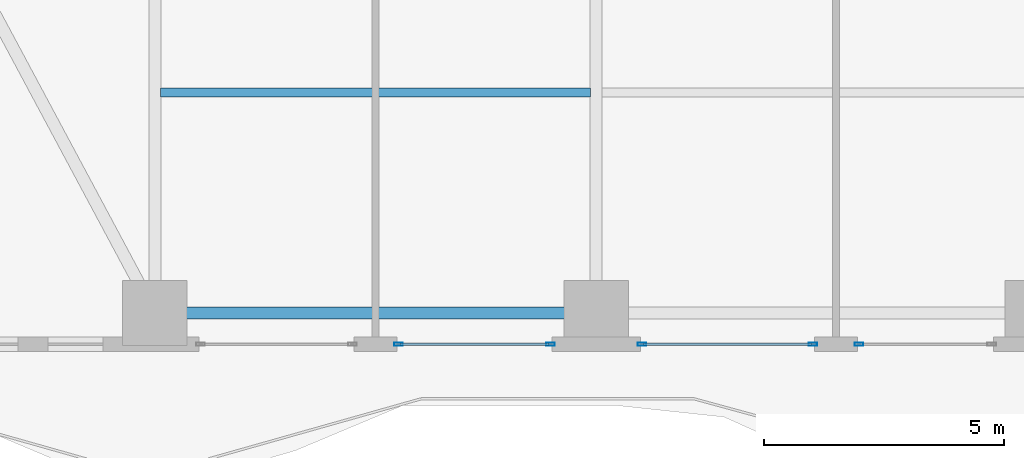
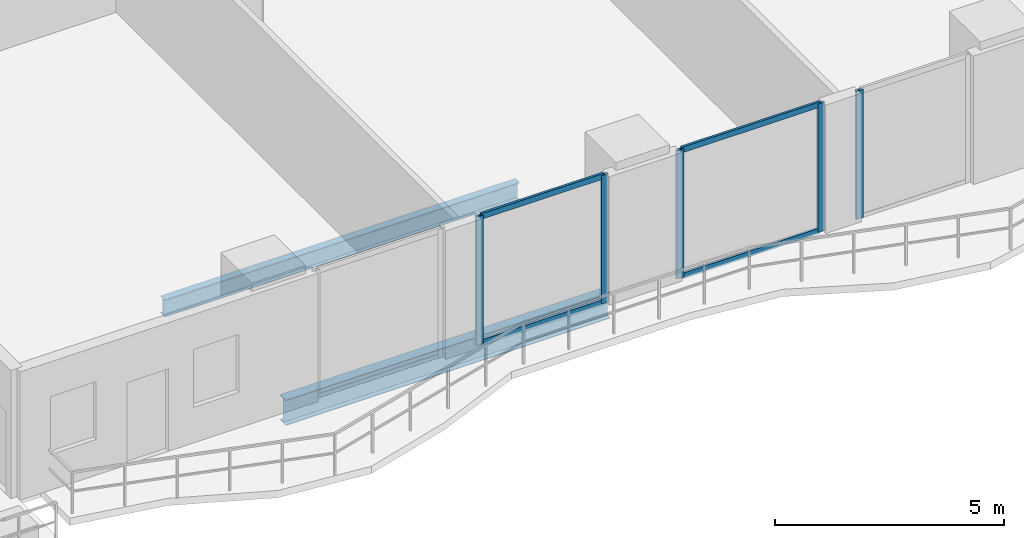
# One storey, part 4 of 27: 9 members, 2 beams, 3 elements without a shape of their own.
"""IFC4 building model written with IfcOpenShell, lengths in metres."""

import ifcopenshell
import ifcopenshell.guid

model = None  # the IFC model being written
_history = None  # IfcOwnerHistory: only IFC2X3 demands one
_inside = {}  # id of a spatial element -> (the spatial element, [elements in it])
_under = {}  # id of a project, library or spatial element -> (it, [spatial elements below it])
_declared = {}  # id of a project -> (the project, [libraries it declares])
_typed = {}  # id of a type object -> (the type object, [elements of that type])
_made_of = {}  # id of a material, layer set ... -> (it, [elements and type objects made of it])


def new_model(schema):
    """Start an empty IFC model of exactly this schema.

    Asked for "IFC4X3", IfcOpenShell would pick the latest addendum, in which some entities
    have other attributes; the version numbers below select the first issue.
    IFC2X3 requires an IfcOwnerHistory on every rooted entity: one is made here for all.
    """
    global model, _history
    if schema == "IFC4X3":
        model = ifcopenshell.file(schema_version=(4, 3, 0, 0))
    else:
        model = ifcopenshell.file(schema=schema)
    _inside.clear()
    _under.clear()
    _declared.clear()
    _typed.clear()
    _made_of.clear()
    _history = None
    if model.schema == "IFC2X3":
        org = make("IfcOrganization", Name="unknown")
        user = make(
            "IfcPersonAndOrganization",
            ThePerson=make("IfcPerson", FamilyName="unknown"),
            TheOrganization=org,
        )
        app = make(
            "IfcApplication",
            ApplicationDeveloper=org,
            Version="unknown",
            ApplicationFullName="unknown",
            ApplicationIdentifier="unknown",
        )
        _history = make(
            "IfcOwnerHistory",
            OwningUser=user,
            OwningApplication=app,
            ChangeAction="ADDED",
            CreationDate=0,
        )
    return model


def make(cls, **values):
    """One entity of the class cls with the attributes given. An attribute that is None is left unset."""
    return model.create_entity(
        cls, **{name: value for name, value in values.items() if value is not None}
    )


def rooted(cls, **values):
    """An entity with a GlobalId (a new one), such as an element, a storey or a relation."""
    return make(cls, GlobalId=ifcopenshell.guid.new(), OwnerHistory=_history, **values)


def si_unit(unit_type, name, prefix=None):
    """IfcSIUnit, for example si_unit("LENGTHUNIT", "METRE", prefix="MILLI")."""
    return make("IfcSIUnit", UnitType=unit_type, Prefix=prefix, Name=name)


def assignment(units):
    """IfcUnitAssignment: the units of a project."""
    return None if units is None else make("IfcUnitAssignment", Units=units)


def point(xyz):
    """IfcCartesianPoint."""
    return None if xyz is None else make("IfcCartesianPoint", Coordinates=xyz)


def direction(xyz):
    """IfcDirection."""
    return None if xyz is None else make("IfcDirection", DirectionRatios=xyz)


def frame(location, z_axis=None, x_axis=None):
    """IfcAxis2Placement3D, a coordinate frame: its origin and axes. An axis left out is left unset."""
    return make(
        "IfcAxis2Placement3D",
        Location=point(location),
        Axis=direction(z_axis),
        RefDirection=direction(x_axis),
    )


def frame_2d(location, x_axis=None):
    """IfcAxis2Placement2D, a coordinate frame in the plane: its origin and x axis."""
    return make(
        "IfcAxis2Placement2D", Location=point(location), RefDirection=direction(x_axis)
    )


def origin():
    """The frame at (0, 0, 0) with its axes left unset."""
    return frame((0.0, 0.0, 0.0))


def origin_2d():
    """The frame at (0, 0) in the plane with its x axis left unset."""
    return frame_2d((0.0, 0.0))


def place(relative_to, where):
    """IfcLocalPlacement: puts the frame where relative to a parent placement (None: the world)."""
    return make(
        "IfcLocalPlacement", PlacementRelTo=relative_to, RelativePlacement=where
    )


def context(
    kind, dimensions, precision=None, world=None, true_north=None, identifier=None
):
    """IfcGeometricRepresentationContext, for example the 3D "Model" context."""
    return make(
        "IfcGeometricRepresentationContext",
        ContextIdentifier=identifier,
        ContextType=kind,
        CoordinateSpaceDimension=dimensions,
        Precision=precision,
        WorldCoordinateSystem=world,
        TrueNorth=true_north,
    )


def subcontext(parent, identifier, kind, view, scale=None):
    """IfcGeometricRepresentationSubContext, for example "Body" below "Model"."""
    return make(
        "IfcGeometricRepresentationSubContext",
        ContextIdentifier=identifier,
        ContextType=kind,
        ParentContext=parent,
        TargetScale=scale,
        TargetView=view,
    )


def project(units=None, contexts=None):
    """IfcProject with its units and contexts."""
    return rooted(
        "IfcProject",
        Name="project",
        RepresentationContexts=contexts,
        UnitsInContext=assignment(units),
    )


def spatial(cls, under=None, at=None, **own):
    """A site, building, storey or space (cls), placed at a placement, below another one or the project."""
    s = rooted(cls, ObjectPlacement=at, **own)
    if under is not None:
        _under.setdefault(under.id(), (under, []))[1].append(s)
    return s


def profile(cls, at=None, kind="AREA", **sizes):
    """A parametric profile (cls). Its sizes go by their IFC names, for example OverallWidth=200.0."""
    return make(cls, ProfileType=kind, Position=at, **sizes)


def hollow_rectangle(**sizes):
    """IfcRectangleHollowProfileDef."""
    return profile("IfcRectangleHollowProfileDef", **sizes)


def i_section(**sizes):
    """IfcIShapeProfileDef."""
    return profile("IfcIShapeProfileDef", **sizes)


def extrude(swept, where, along, depth):
    """IfcExtrudedAreaSolid: the profile swept, set in the frame where, extruded along a direction by depth."""
    return make(
        "IfcExtrudedAreaSolid",
        SweptArea=swept,
        Position=where,
        ExtrudedDirection=direction(along),
        Depth=depth,
    )


def shape(context_of_items, identifier, shape_type, items):
    """IfcShapeRepresentation: the items that make up one representation, for example the "Body"."""
    return make(
        "IfcShapeRepresentation",
        ContextOfItems=context_of_items,
        RepresentationIdentifier=identifier,
        RepresentationType=shape_type,
        Items=items,
    )


def material(Name=None, Category=None):
    """IfcMaterial."""
    return make("IfcMaterial", Name=Name, Category=Category)


def layer(
    of_material, thickness, ventilated=None, Name=None, Category=None, Priority=None
):
    """IfcMaterialLayer: one layer of a wall or slab, of a material (None: an air gap)."""
    return make(
        "IfcMaterialLayer",
        Material=of_material,
        LayerThickness=thickness,
        IsVentilated=ventilated,
        Name=Name,
        Category=Category,
        Priority=Priority,
    )


def layer_set(layers, Name=None):
    """IfcMaterialLayerSet."""
    return make("IfcMaterialLayerSet", MaterialLayers=layers, LayerSetName=Name)


def material_profile(
    of_material, cross_section, Name=None, Category=None, Priority=None
):
    """IfcMaterialProfile: a cross section and its material."""
    return make(
        "IfcMaterialProfile",
        Name=Name,
        Material=of_material,
        Profile=cross_section,
        Priority=Priority,
        Category=Category,
    )


def profile_set(profiles, Name=None, composite=None):
    """IfcMaterialProfileSet."""
    return make(
        "IfcMaterialProfileSet",
        Name=Name,
        MaterialProfiles=profiles,
        CompositeProfile=composite,
    )


def made_of(thing, what):
    """Note that an element or type object is made of a material, layer set ...; save() writes the relation."""
    if what is not None:
        _made_of.setdefault(what.id(), (what, []))[1].append(thing)
    return thing


def type_object(cls, material=None, **own):
    """A type object (cls), such as IfcWallType, which elements share."""
    return made_of(rooted(cls, **own), material)


def element(
    cls,
    number,
    at=None,
    inside=None,
    cuts=None,
    type_object=None,
    material=None,
    context=None,
    identifier="Body",
    shape_type=None,
    held_by="IfcProductDefinitionShape",
    body=None,
    shapes=None,
    **own,
):
    """One element of the class cls, such as IfcWall. Its Tag is "e" and its number.

    at: its placement. inside: the storey or other place that contains it. cuts: it is an
    opening in that element (IfcRelVoidsElement). A single representation is given by context,
    identifier, shape_type and body (its items); several are given by shapes. held_by: the class
    of the entity that holds the representations. save() writes the other relations.
    """
    e = rooted(cls, Tag="e%d" % number, ObjectPlacement=at, **own)
    if body is not None:
        shapes = [shape(context, identifier, shape_type, body)]
    if shapes is not None:
        e.Representation = make(held_by, Representations=shapes)
    if inside is not None:
        _inside.setdefault(inside.id(), (inside, []))[1].append(e)
    if cuts is not None:
        rooted(
            "IfcRelVoidsElement", RelatingBuildingElement=cuts, RelatedOpeningElement=e
        )
    if type_object is not None:
        _typed.setdefault(type_object.id(), (type_object, []))[1].append(e)
    return made_of(e, material)


def aggregate(whole, parts):
    """IfcRelAggregates: a whole, such as a stair, and the parts it consists of."""
    return rooted("IfcRelAggregates", RelatingObject=whole, RelatedObjects=parts)


def save(model, path):
    """Write the relations noted so far, then the file.

    IfcRelAggregates (storeys below a building ...), IfcRelContainedInSpatialStructure (elements
    in a storey), IfcRelDefinesByType, IfcRelAssociatesMaterial and IfcRelDeclares: one each for
    every whole, place, type object, material and project.
    """
    for whole, parts in _under.values():
        aggregate(whole, parts)
    for where, things in _inside.values():
        rooted(
            "IfcRelContainedInSpatialStructure",
            RelatedElements=things,
            RelatingStructure=where,
        )
    for kind, things in _typed.values():
        rooted("IfcRelDefinesByType", RelatedObjects=things, RelatingType=kind)
    for what, things in _made_of.values():
        rooted("IfcRelAssociatesMaterial", RelatedObjects=things, RelatingMaterial=what)
    for by, libraries in _declared.values():
        rooted("IfcRelDeclares", RelatingContext=by, RelatedDefinitions=libraries)
    model.write(path)


model = new_model("IFC4")

# Units and contexts
model_context = context("Model", 3, precision=1e-05, world=origin(), true_north=direction((0.0, 1.0)))
body_context = subcontext(model_context, "Body", "Model", "MODEL_VIEW")
ifc_project = project(units=[si_unit("LENGTHUNIT", "METRE"), si_unit("AREAUNIT", "SQUARE_METRE"), si_unit("VOLUMEUNIT", "CUBIC_METRE"), si_unit("PLANEANGLEUNIT", "RADIAN"), si_unit("MASSUNIT", "GRAM", prefix="KILO")], contexts=[model_context])

# Site, building, storey
site_placement = place(None, origin())
site = spatial("IfcSite", under=ifc_project, at=site_placement, CompositionType="ELEMENT")
building_placement = place(site_placement, origin())
building = spatial("IfcBuilding", under=site, at=building_placement, Name="Zuhayl Quay Hotel", CompositionType="ELEMENT")
storey_placement = place(building_placement, frame((0.0, 0.0, 124.85009765625)))
storey = spatial("IfcBuildingStorey", under=building, at=storey_placement, Name="L31", CompositionType="ELEMENT", Elevation=124.85009765625)

# Beams
ifc_material_1 = material(Name="Steel ASTM A992 Grade 50", Category="steel")
ifc_material_profile_1 = material_profile(ifc_material_1, i_section(OverallWidth=0.25390625, OverallDepth=0.68310546875, WebThickness=0.012451171875, FlangeThickness=0.018798828125, at=origin_2d()), Name="W27X94")
ifc_profile_set_1 = profile_set([ifc_material_profile_1], Name="Steel ASTM A992 Grade 50")
beam_type_1 = type_object("IfcBeamType", Name="BM_B2_W27X94", PredefinedType="BEAM", material=ifc_profile_set_1)
beam_1_placement = place(storey_placement, frame((-13.300048828125, -14.75, -0.5615234375), z_axis=(1.0, 0.0, 0.0), x_axis=(0.0, 1.0, 0.0)))
element("IfcBeam", 1, at=beam_1_placement, inside=storey, type_object=beam_type_1, Name="L31 Floor Beam RG_L31_01", PredefinedType="BEAM", context=body_context, shape_type="SweptSolid", body=[
    extrude(i_section(OverallWidth=0.25390625, OverallDepth=0.68310546875, WebThickness=0.012451171875, FlangeThickness=0.018798828125, at=origin_2d()), origin(), (0.0, 0.0, 1.0), 8.199951171875),
])
ifc_material_profile_2 = material_profile(ifc_material_1, i_section(OverallWidth=0.18994140625, OverallDepth=0.45703125, WebThickness=0.009033203125, FlangeThickness=0.014404296875, at=origin_2d()), Name="W18X50")
ifc_profile_set_2 = profile_set([ifc_material_profile_2], Name="Steel ASTM A992 Grade 50")
beam_type_2 = type_object("IfcBeamType", Name="BM_J2_W18X50", PredefinedType="JOIST", material=ifc_profile_set_2)
beam_2_placement = place(storey_placement, frame((-13.680908203125, -10.14990234375, -0.448486328125), z_axis=(1.0, 0.0, 0.0), x_axis=(0.0, 1.0, 0.0)))
element("IfcBeam", 2, at=beam_2_placement, inside=storey, type_object=beam_type_2, Name="L31 Floor Beam FJ_L31_5_1", PredefinedType="JOIST", context=body_context, shape_type="SweptSolid", body=[
    extrude(i_section(OverallWidth=0.18994140625, OverallDepth=0.45703125, WebThickness=0.009033203125, FlangeThickness=0.014404296875, at=origin_2d()), origin(), (0.0, 0.0, 1.0), 8.9619140625),
])

# Curtain wall, member
ifc_material_2 = material(Name="Anodised Aluminium 6063-T6", Category="aluminium")
ifc_layer = layer(ifc_material_2, 0.179931640625, Name="Anodised Aluminium 6063-T6", Category="aluminium")
ifc_layer_set = layer_set([ifc_layer], Name="Anodised Aluminium 6063-T6")
curtain_wall_type = type_object("IfcCurtainWallType", Name="CW_SYS_Z2", PredefinedType="USERDEFINED", material=ifc_layer_set)
curtain_wall_1_placement = place(storey_placement, origin())
curtain_wall_1 = element("IfcCurtainWall", 3, at=curtain_wall_1_placement, inside=storey, type_object=curtain_wall_type, Name="L31 Curtain Wall ENV_L31_S_CW4", ObjectType="UNITISED CURTAIN WALL", PredefinedType="USERDEFINED")
ifc_material_3 = material(Name="Black-anodised aluminium 6063-T6", Category="aluminium")
ifc_material_profile_3 = material_profile(ifc_material_3, hollow_rectangle(XDim=0.06494140625, YDim=0.179931640625, WallThickness=0.00341796875, at=origin_2d()), Name="ALU180X65")
ifc_profile_set_3 = profile_set([ifc_material_profile_3], Name="Black-anodised aluminium 6063-T6")
member_type_1 = type_object("IfcMemberType", Name="MB_CW_MUL_180", PredefinedType="MULLION", material=ifc_profile_set_3)
member_1_placement = place(storey_placement, frame((0.882568359375, -15.39990234375, 0.0), z_axis=(0.0, 0.0, 1.0), x_axis=(0.0, -1.0, 0.0)))
member_1 = element("IfcMember", 4, at=member_1_placement, type_object=member_type_1, Name="CW-Z2 mullion 2", PredefinedType="MULLION", context=body_context, shape_type="SweptSolid", body=[
    extrude(hollow_rectangle(XDim=0.06494140625, YDim=0.179931640625, WallThickness=0.00341796875, at=origin_2d()), origin(), (0.0, 0.0, 1.0), 3.429931640625),
])
aggregate(curtain_wall_1, [member_1])

# Curtain wall, members
curtain_wall_2_placement = place(storey_placement, origin())
curtain_wall_2 = element("IfcCurtainWall", 5, at=curtain_wall_2_placement, inside=storey, type_object=curtain_wall_type, Name="L31 Curtain Wall ENV_L31_S_CW5", ObjectType="UNITISED CURTAIN WALL", PredefinedType="USERDEFINED")
member_2_placement = place(storey_placement, frame((-0.08251953125, -15.39990234375, 0.0), z_axis=(0.0, 0.0, 1.0), x_axis=(0.0, -1.0, 0.0)))
member_2 = element("IfcMember", 6, at=member_2_placement, type_object=member_type_1, Name="CW-Z2 mullion 1", PredefinedType="MULLION", context=body_context, shape_type="SweptSolid", body=[
    extrude(hollow_rectangle(XDim=0.06494140625, YDim=0.179931640625, WallThickness=0.00341796875, at=origin_2d()), origin(), (0.0, 0.0, 1.0), 3.429931640625),
])
member_3_placement = place(storey_placement, frame((-3.6474609375, -15.39990234375, 0.0), z_axis=(0.0, 0.0, 1.0), x_axis=(0.0, -1.0, 0.0)))
member_3 = element("IfcMember", 7, at=member_3_placement, type_object=member_type_1, Name="CW-Z2 mullion 2", PredefinedType="MULLION", context=body_context, shape_type="SweptSolid", body=[
    extrude(hollow_rectangle(XDim=0.06494140625, YDim=0.179931640625, WallThickness=0.00341796875, at=origin_2d()), origin(), (0.0, 0.0, 1.0), 3.429931640625),
])

curtain_wall_3_placement = place(storey_placement, origin())
curtain_wall_3 = element("IfcCurtainWall", 8, at=curtain_wall_3_placement, inside=storey, type_object=curtain_wall_type, Name="L31 Curtain Wall ENV_L31_S_CW6", ObjectType="UNITISED CURTAIN WALL", PredefinedType="USERDEFINED")
member_4_placement = place(storey_placement, frame((-5.552490234375, -15.39990234375, 0.0), z_axis=(0.0, 0.0, 1.0), x_axis=(0.0, -1.0, 0.0)))
member_4 = element("IfcMember", 9, at=member_4_placement, type_object=member_type_1, Name="CW-Z2 mullion 1", PredefinedType="MULLION", context=body_context, shape_type="SweptSolid", body=[
    extrude(hollow_rectangle(XDim=0.06494140625, YDim=0.179931640625, WallThickness=0.00341796875, at=origin_2d()), origin(), (0.0, 0.0, 1.0), 3.429931640625),
])
member_5_placement = place(storey_placement, frame((-8.717529296875, -15.39990234375, 0.0), z_axis=(0.0, 0.0, 1.0), x_axis=(0.0, -1.0, 0.0)))
member_5 = element("IfcMember", 10, at=member_5_placement, type_object=member_type_1, Name="CW-Z2 mullion 2", PredefinedType="MULLION", context=body_context, shape_type="SweptSolid", body=[
    extrude(hollow_rectangle(XDim=0.06494140625, YDim=0.179931640625, WallThickness=0.00341796875, at=origin_2d()), origin(), (0.0, 0.0, 1.0), 3.429931640625),
])

# Member
ifc_material_profile_4 = material_profile(ifc_material_3, hollow_rectangle(XDim=0.06005859375, YDim=0.14990234375, WallThickness=0.00341796875, at=origin_2d()), Name="ALU150X60")
ifc_profile_set_4 = profile_set([ifc_material_profile_4], Name="Black-anodised aluminium 6063-T6")
member_type_2 = type_object("IfcMemberType", Name="MB_CW_TRN_150", PredefinedType="USERDEFINED", material=ifc_profile_set_4)
member_6_placement = place(storey_placement, frame((-0.114990234375, -15.39990234375, 0.02978515625), z_axis=(-1.0, 0.0, 0.0), x_axis=(0.0, -1.0, 0.0)))
member_6 = element("IfcMember", 11, at=member_6_placement, type_object=member_type_2, Name="CW-Z2 transom 1.1", ObjectType="TRANSOM", PredefinedType="USERDEFINED", context=body_context, shape_type="SweptSolid", body=[
    extrude(hollow_rectangle(XDim=0.06005859375, YDim=0.14990234375, WallThickness=0.00341796875, at=origin_2d()), origin(), (0.0, 0.0, 1.0), 3.5),
])

member_7_placement = place(storey_placement, frame((-0.114990234375, -15.39990234375, 3.39990234375), z_axis=(-1.0, 0.0, 0.0), x_axis=(0.0, -1.0, 0.0)))
member_7 = element("IfcMember", 12, at=member_7_placement, type_object=member_type_2, Name="CW-Z2 transom 1.2", ObjectType="TRANSOM", PredefinedType="USERDEFINED", context=body_context, shape_type="SweptSolid", body=[
    extrude(hollow_rectangle(XDim=0.06005859375, YDim=0.14990234375, WallThickness=0.00341796875, at=origin_2d()), origin(), (0.0, 0.0, 1.0), 3.5),
])

aggregate(curtain_wall_2, [member_2, member_3, member_6, member_7])

member_8_placement = place(storey_placement, frame((-5.5849609375, -15.39990234375, 0.02978515625), z_axis=(-1.0, 0.0, 0.0), x_axis=(0.0, -1.0, 0.0)))
member_8 = element("IfcMember", 13, at=member_8_placement, type_object=member_type_2, Name="CW-Z2 transom 1.1", ObjectType="TRANSOM", PredefinedType="USERDEFINED", context=body_context, shape_type="SweptSolid", body=[
    extrude(hollow_rectangle(XDim=0.06005859375, YDim=0.14990234375, WallThickness=0.00341796875, at=origin_2d()), origin(), (0.0, 0.0, 1.0), 3.10009765625),
])

member_9_placement = place(storey_placement, frame((-5.5849609375, -15.39990234375, 3.39990234375), z_axis=(-1.0, 0.0, 0.0), x_axis=(0.0, -1.0, 0.0)))
member_9 = element("IfcMember", 14, at=member_9_placement, type_object=member_type_2, Name="CW-Z2 transom 1.2", ObjectType="TRANSOM", PredefinedType="USERDEFINED", context=body_context, shape_type="SweptSolid", body=[
    extrude(hollow_rectangle(XDim=0.06005859375, YDim=0.14990234375, WallThickness=0.00341796875, at=origin_2d()), origin(), (0.0, 0.0, 1.0), 3.10009765625),
])

aggregate(curtain_wall_3, [member_4, member_5, member_8, member_9])

save(model, "model.ifc")
